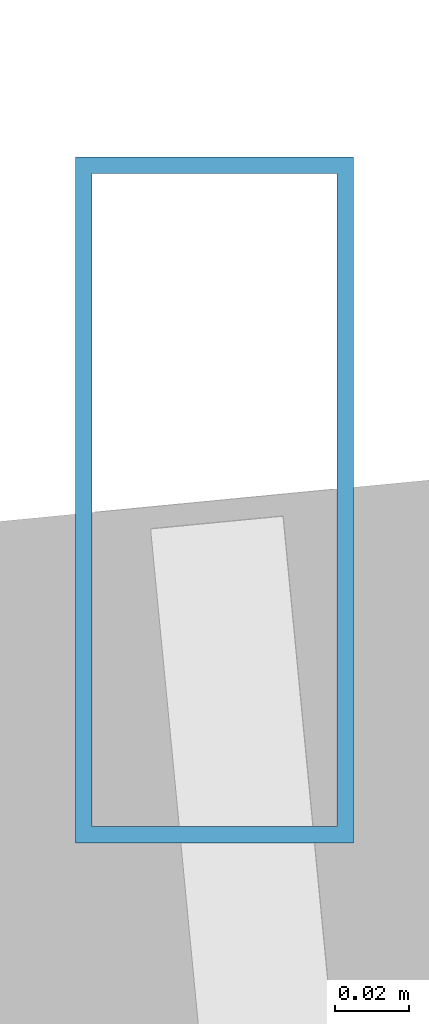
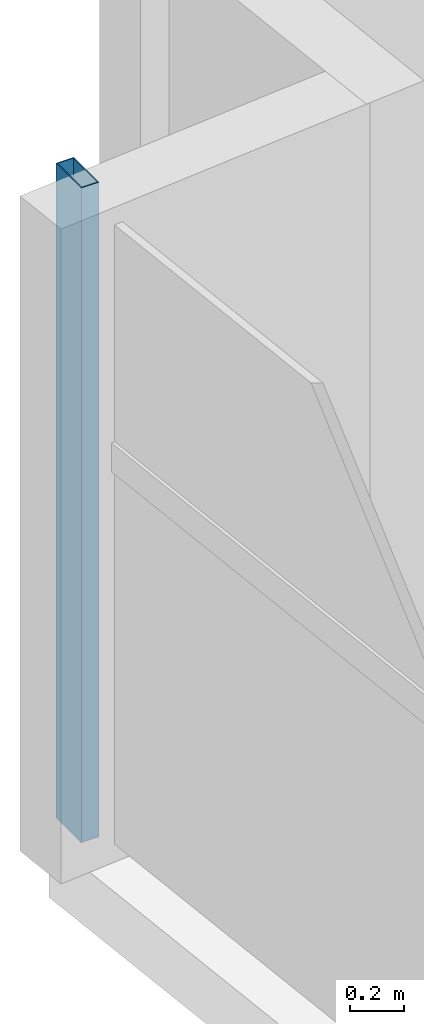
# One storey, part 8 of 27: 1 member, 1 element without a shape of its own.
"""IFC4 building model written with IfcOpenShell, lengths in metres."""

from ifc_helpers import new_model, si_unit, direction, frame, origin, origin_2d, place, context, subcontext, project, spatial, hollow_rectangle, extrude, source, transform, mapped, material, material_profile, profile_set, type_object, type_shapes, element, aggregate, save


model = new_model("IFC4")

# Units and contexts
model_context = context("Model", 3, precision=1e-05, world=origin(), true_north=direction((0.0, 1.0)))
body_context = subcontext(model_context, "Body", "Model", "MODEL_VIEW")
ifc_project = project(units=[si_unit("LENGTHUNIT", "METRE"), si_unit("AREAUNIT", "SQUARE_METRE"), si_unit("VOLUMEUNIT", "CUBIC_METRE"), si_unit("PLANEANGLEUNIT", "RADIAN"), si_unit("MASSUNIT", "GRAM", prefix="KILO")], contexts=[model_context])

# Site, building, storey
site_placement = place(None, origin())
site = spatial("IfcSite", under=ifc_project, at=site_placement, CompositionType="ELEMENT")
building_placement = place(site_placement, origin())
building = spatial("IfcBuilding", under=site, at=building_placement, Name="Astriad Promenade Condominiums", CompositionType="ELEMENT")
storey_placement = place(building_placement, frame((0.0, 0.0, 90.60009765625)))
storey = spatial("IfcBuildingStorey", under=building, at=storey_placement, Name="L25", CompositionType="ELEMENT", Elevation=90.60009765625)

# Curtain wall, member
ifc_material_1 = material(Name="Anodised aluminium Black Dark Glass Unitised", Category="aluminium")
curtain_wall_type = type_object("IfcCurtainWallType", Name="CW-B2-DARK", PredefinedType="USERDEFINED", material=ifc_material_1)
curtain_wall_placement = place(storey_placement, origin())
curtain_wall = element("IfcCurtainWall", 1, at=curtain_wall_placement, inside=storey, type_object=curtain_wall_type, Name="CW-L25-W", ObjectType="UNITISED_CURTAIN_WALL", PredefinedType="USERDEFINED")
ifc_material_2 = material(Name="Anodised aluminium 6063-T6 Black", Category="aluminium")
ifc_material_profile = material_profile(ifc_material_2, hollow_rectangle(XDim=0.074951171875, YDim=0.18505859375, WallThickness=0.00439453125, at=origin_2d()), Name="ALU-MUL-75X185")
ifc_profile_set = profile_set([ifc_material_profile], Name="Anodised aluminium 6063-T6 Black")
member_type = type_object("IfcMemberType", Name="MUL-ALU-MUL-75X185", PredefinedType="MULLION", material=ifc_profile_set)
shared_shape = source(origin(), body_context, "Body", "SweptSolid", [
    extrude(hollow_rectangle(XDim=0.074951171875, YDim=0.18505859375, WallThickness=0.00439453125, at=origin_2d()), origin(), (0.0, 0.0, 1.0), 2.93994140625),
])
type_shapes(member_type, [shared_shape])
member_placement = place(storey_placement, frame((8.94775390625, 20.921875, 0.0), z_axis=(0.0, 0.0, 1.0), x_axis=(1.0, 0.0, 0.0)))
member = element("IfcMember", 2, at=member_placement, type_object=member_type, Name="CW-L25-W-MUL-03", PredefinedType="MULLION", context=body_context, shape_type="MappedRepresentation", body=[
    mapped(shared_shape, transform((0.0, 0.0, 0.0), scale=1.0)),
])
aggregate(curtain_wall, [member])

save(model, "model.ifc")
